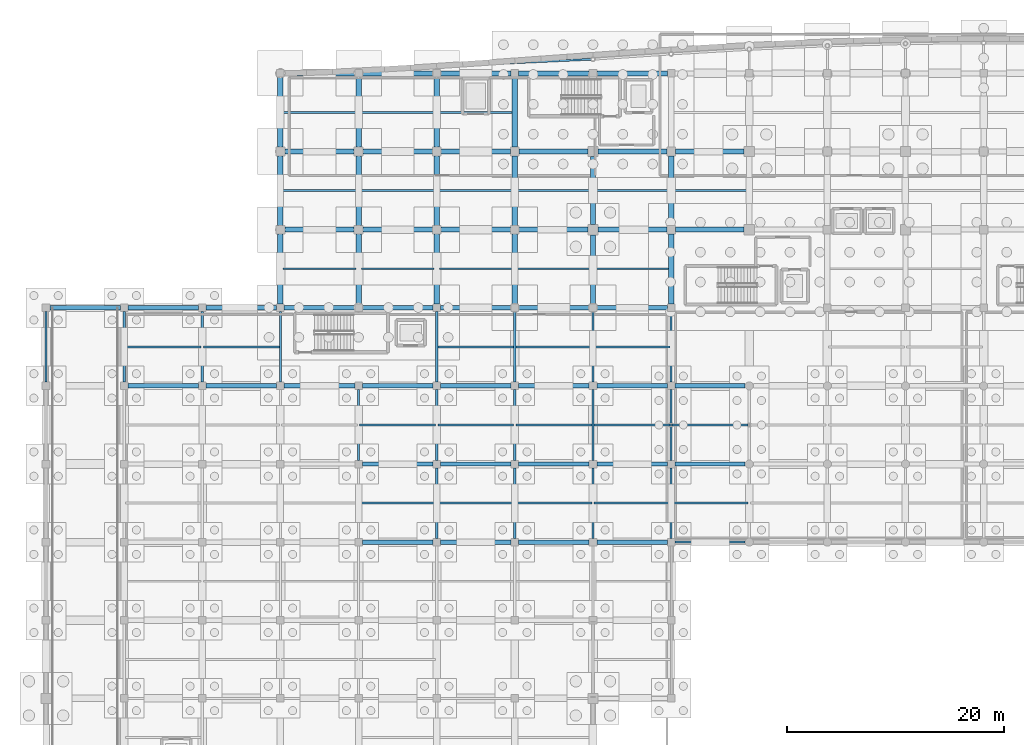
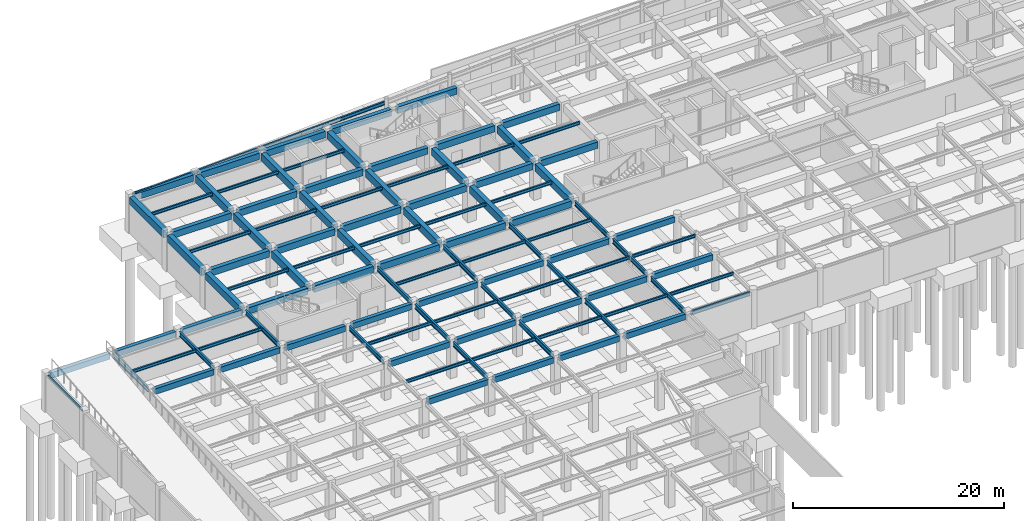
# One storey, part 26 of 48: 106 beams.
"""IFC4 building model written with IfcOpenShell, lengths in metres."""

import ifcopenshell
import ifcopenshell.guid

model = None  # the IFC model being written
_history = None  # IfcOwnerHistory: only IFC2X3 demands one
_inside = {}  # id of a spatial element -> (the spatial element, [elements in it])
_under = {}  # id of a project, library or spatial element -> (it, [spatial elements below it])
_declared = {}  # id of a project -> (the project, [libraries it declares])
_typed = {}  # id of a type object -> (the type object, [elements of that type])
_made_of = {}  # id of a material, layer set ... -> (it, [elements and type objects made of it])


def new_model(schema):
    """Start an empty IFC model of exactly this schema.

    Asked for "IFC4X3", IfcOpenShell would pick the latest addendum, in which some entities
    have other attributes; the version numbers below select the first issue.
    IFC2X3 requires an IfcOwnerHistory on every rooted entity: one is made here for all.
    """
    global model, _history
    if schema == "IFC4X3":
        model = ifcopenshell.file(schema_version=(4, 3, 0, 0))
    else:
        model = ifcopenshell.file(schema=schema)
    _inside.clear()
    _under.clear()
    _declared.clear()
    _typed.clear()
    _made_of.clear()
    _history = None
    if model.schema == "IFC2X3":
        org = make("IfcOrganization", Name="unknown")
        user = make(
            "IfcPersonAndOrganization",
            ThePerson=make("IfcPerson", FamilyName="unknown"),
            TheOrganization=org,
        )
        app = make(
            "IfcApplication",
            ApplicationDeveloper=org,
            Version="unknown",
            ApplicationFullName="unknown",
            ApplicationIdentifier="unknown",
        )
        _history = make(
            "IfcOwnerHistory",
            OwningUser=user,
            OwningApplication=app,
            ChangeAction="ADDED",
            CreationDate=0,
        )
    return model


def make(cls, **values):
    """One entity of the class cls with the attributes given. An attribute that is None is left unset."""
    return model.create_entity(
        cls, **{name: value for name, value in values.items() if value is not None}
    )


def rooted(cls, **values):
    """An entity with a GlobalId (a new one), such as an element, a storey or a relation."""
    return make(cls, GlobalId=ifcopenshell.guid.new(), OwnerHistory=_history, **values)


def si_unit(unit_type, name, prefix=None):
    """IfcSIUnit, for example si_unit("LENGTHUNIT", "METRE", prefix="MILLI")."""
    return make("IfcSIUnit", UnitType=unit_type, Prefix=prefix, Name=name)


def assignment(units):
    """IfcUnitAssignment: the units of a project."""
    return None if units is None else make("IfcUnitAssignment", Units=units)


def point(xyz):
    """IfcCartesianPoint."""
    return None if xyz is None else make("IfcCartesianPoint", Coordinates=xyz)


def direction(xyz):
    """IfcDirection."""
    return None if xyz is None else make("IfcDirection", DirectionRatios=xyz)


def frame(location, z_axis=None, x_axis=None):
    """IfcAxis2Placement3D, a coordinate frame: its origin and axes. An axis left out is left unset."""
    return make(
        "IfcAxis2Placement3D",
        Location=point(location),
        Axis=direction(z_axis),
        RefDirection=direction(x_axis),
    )


def frame_2d(location, x_axis=None):
    """IfcAxis2Placement2D, a coordinate frame in the plane: its origin and x axis."""
    return make(
        "IfcAxis2Placement2D", Location=point(location), RefDirection=direction(x_axis)
    )


def origin():
    """The frame at (0, 0, 0) with its axes left unset."""
    return frame((0.0, 0.0, 0.0))


def origin_2d():
    """The frame at (0, 0) in the plane with its x axis left unset."""
    return frame_2d((0.0, 0.0))


def place(relative_to, where):
    """IfcLocalPlacement: puts the frame where relative to a parent placement (None: the world)."""
    return make(
        "IfcLocalPlacement", PlacementRelTo=relative_to, RelativePlacement=where
    )


def context(
    kind, dimensions, precision=None, world=None, true_north=None, identifier=None
):
    """IfcGeometricRepresentationContext, for example the 3D "Model" context."""
    return make(
        "IfcGeometricRepresentationContext",
        ContextIdentifier=identifier,
        ContextType=kind,
        CoordinateSpaceDimension=dimensions,
        Precision=precision,
        WorldCoordinateSystem=world,
        TrueNorth=true_north,
    )


def subcontext(parent, identifier, kind, view, scale=None):
    """IfcGeometricRepresentationSubContext, for example "Body" below "Model"."""
    return make(
        "IfcGeometricRepresentationSubContext",
        ContextIdentifier=identifier,
        ContextType=kind,
        ParentContext=parent,
        TargetScale=scale,
        TargetView=view,
    )


def project(units=None, contexts=None):
    """IfcProject with its units and contexts."""
    return rooted(
        "IfcProject",
        Name="project",
        RepresentationContexts=contexts,
        UnitsInContext=assignment(units),
    )


def spatial(cls, under=None, at=None, **own):
    """A site, building, storey or space (cls), placed at a placement, below another one or the project."""
    s = rooted(cls, ObjectPlacement=at, **own)
    if under is not None:
        _under.setdefault(under.id(), (under, []))[1].append(s)
    return s


def profile(cls, at=None, kind="AREA", **sizes):
    """A parametric profile (cls). Its sizes go by their IFC names, for example OverallWidth=200.0."""
    return make(cls, ProfileType=kind, Position=at, **sizes)


def rectangle(**sizes):
    """IfcRectangleProfileDef."""
    return profile("IfcRectangleProfileDef", **sizes)


def hollow_rectangle(**sizes):
    """IfcRectangleHollowProfileDef."""
    return profile("IfcRectangleHollowProfileDef", **sizes)


def i_section(**sizes):
    """IfcIShapeProfileDef."""
    return profile("IfcIShapeProfileDef", **sizes)


def extrude(swept, where, along, depth):
    """IfcExtrudedAreaSolid: the profile swept, set in the frame where, extruded along a direction by depth."""
    return make(
        "IfcExtrudedAreaSolid",
        SweptArea=swept,
        Position=where,
        ExtrudedDirection=direction(along),
        Depth=depth,
    )


def shape(context_of_items, identifier, shape_type, items):
    """IfcShapeRepresentation: the items that make up one representation, for example the "Body"."""
    return make(
        "IfcShapeRepresentation",
        ContextOfItems=context_of_items,
        RepresentationIdentifier=identifier,
        RepresentationType=shape_type,
        Items=items,
    )


def material(Name=None, Category=None):
    """IfcMaterial."""
    return make("IfcMaterial", Name=Name, Category=Category)


def material_profile(
    of_material, cross_section, Name=None, Category=None, Priority=None
):
    """IfcMaterialProfile: a cross section and its material."""
    return make(
        "IfcMaterialProfile",
        Name=Name,
        Material=of_material,
        Profile=cross_section,
        Priority=Priority,
        Category=Category,
    )


def profile_set(profiles, Name=None, composite=None):
    """IfcMaterialProfileSet."""
    return make(
        "IfcMaterialProfileSet",
        Name=Name,
        MaterialProfiles=profiles,
        CompositeProfile=composite,
    )


def made_of(thing, what):
    """Note that an element or type object is made of a material, layer set ...; save() writes the relation."""
    if what is not None:
        _made_of.setdefault(what.id(), (what, []))[1].append(thing)
    return thing


def type_object(cls, material=None, **own):
    """A type object (cls), such as IfcWallType, which elements share."""
    return made_of(rooted(cls, **own), material)


def element(
    cls,
    number,
    at=None,
    inside=None,
    cuts=None,
    type_object=None,
    material=None,
    context=None,
    identifier="Body",
    shape_type=None,
    held_by="IfcProductDefinitionShape",
    body=None,
    shapes=None,
    **own,
):
    """One element of the class cls, such as IfcWall. Its Tag is "e" and its number.

    at: its placement. inside: the storey or other place that contains it. cuts: it is an
    opening in that element (IfcRelVoidsElement). A single representation is given by context,
    identifier, shape_type and body (its items); several are given by shapes. held_by: the class
    of the entity that holds the representations. save() writes the other relations.
    """
    e = rooted(cls, Tag="e%d" % number, ObjectPlacement=at, **own)
    if body is not None:
        shapes = [shape(context, identifier, shape_type, body)]
    if shapes is not None:
        e.Representation = make(held_by, Representations=shapes)
    if inside is not None:
        _inside.setdefault(inside.id(), (inside, []))[1].append(e)
    if cuts is not None:
        rooted(
            "IfcRelVoidsElement", RelatingBuildingElement=cuts, RelatedOpeningElement=e
        )
    if type_object is not None:
        _typed.setdefault(type_object.id(), (type_object, []))[1].append(e)
    return made_of(e, material)


def aggregate(whole, parts):
    """IfcRelAggregates: a whole, such as a stair, and the parts it consists of."""
    return rooted("IfcRelAggregates", RelatingObject=whole, RelatedObjects=parts)


def save(model, path):
    """Write the relations noted so far, then the file.

    IfcRelAggregates (storeys below a building ...), IfcRelContainedInSpatialStructure (elements
    in a storey), IfcRelDefinesByType, IfcRelAssociatesMaterial and IfcRelDeclares: one each for
    every whole, place, type object, material and project.
    """
    for whole, parts in _under.values():
        aggregate(whole, parts)
    for where, things in _inside.values():
        rooted(
            "IfcRelContainedInSpatialStructure",
            RelatedElements=things,
            RelatingStructure=where,
        )
    for kind, things in _typed.values():
        rooted("IfcRelDefinesByType", RelatedObjects=things, RelatingType=kind)
    for what, things in _made_of.values():
        rooted("IfcRelAssociatesMaterial", RelatedObjects=things, RelatingMaterial=what)
    for by, libraries in _declared.values():
        rooted("IfcRelDeclares", RelatingContext=by, RelatedDefinitions=libraries)
    model.write(path)


model = new_model("IFC4")

# Units and contexts
model_context = context("Model", 3, precision=1e-05, world=origin(), true_north=direction((0.0, 1.0)))
body_context = subcontext(model_context, "Body", "Model", "MODEL_VIEW")
ifc_project = project(units=[si_unit("LENGTHUNIT", "METRE"), si_unit("AREAUNIT", "SQUARE_METRE"), si_unit("VOLUMEUNIT", "CUBIC_METRE"), si_unit("PLANEANGLEUNIT", "RADIAN"), si_unit("MASSUNIT", "GRAM", prefix="KILO")], contexts=[model_context])

# Site, building, storey
site_placement = place(None, origin())
site = spatial("IfcSite", under=ifc_project, at=site_placement, CompositionType="ELEMENT")
building_placement = place(site_placement, origin())
building = spatial("IfcBuilding", under=site, at=building_placement, Name="Carrowvane Square Congress Hotel", CompositionType="ELEMENT")
storey_placement = place(building_placement, frame((0.0, 0.0, -4.5)))
storey = spatial("IfcBuildingStorey", under=building, at=storey_placement, Name="B01", CompositionType="ELEMENT", Elevation=-4.5)

# Beams
ifc_material_1 = material(Name="Concrete C35/45", Category="concrete")
ifc_material_profile_1 = material_profile(ifc_material_1, rectangle(XDim=0.39990234375, YDim=0.64990234375, at=origin_2d()), Name="RC 400x650")
ifc_profile_set_1 = profile_set([ifc_material_profile_1], Name="Concrete C35/45")
beam_type_1 = type_object("IfcBeamType", Name="BM-RC-400x650", PredefinedType="BEAM", material=ifc_profile_set_1)
for number, where, z_axis, x_axis, name in (
    (1, (40.75, 70.199951171875, 3.875), (1.0, 0.0, 0.0), (0.0, 1.0, 0.0), "L00 girder K/5-6"),
    (2, (47.949951171875, 70.199951171875, 3.875), (1.0, 0.0, 0.0), (0.0, 1.0, 0.0), "L00 girder K/6-7"),
    (3, (55.14990234375, 70.199951171875, 3.875), (1.0, 0.0, 0.0), (0.0, 1.0, 0.0), "L00 girder K/7-8"),
    (4, (62.35009765625, 70.199951171875, 3.875), (1.0, 0.0, 0.0), (0.0, 1.0, 0.0), "L00 girder K/8-9"),
    (5, (40.75, 77.39990234375, 3.875), (1.0, 0.0, 0.0), (0.0, 1.0, 0.0), "L00 girder L/5-6"),
    (6, (47.949951171875, 77.39990234375, 3.875), (1.0, 0.0, 0.0), (0.0, 1.0, 0.0), "L00 girder L/6-7"),
    (7, (55.14990234375, 77.39990234375, 3.875), (1.0, 0.0, 0.0), (0.0, 1.0, 0.0), "L00 girder L/7-8"),
    (8, (62.35009765625, 77.39990234375, 3.875), (1.0, 0.0, 0.0), (0.0, 1.0, 0.0), "L00 girder L/8-9"),
):
    element("IfcBeam", number, at=place(storey_placement, frame(where, z_axis=z_axis, x_axis=x_axis)), inside=storey, type_object=beam_type_1, Name=name, PredefinedType="BEAM", context=body_context, shape_type="SweptSolid", body=[
        extrude(rectangle(XDim=0.39990234375, YDim=0.64990234375, at=origin_2d()), origin(), (0.0, 0.0, 1.0), 6.5),
    ])
beam_1_placement = place(storey_placement, frame((69.550048828125, 77.39990234375, 3.875), z_axis=(1.0, 0.0, 0.0), x_axis=(0.0, 1.0, 0.0)))
element("IfcBeam", 9, at=beam_1_placement, inside=storey, type_object=beam_type_1, Name="L00 girder L/9-10", PredefinedType="BEAM", context=body_context, shape_type="SweptSolid", body=[
    extrude(rectangle(XDim=0.39990234375, YDim=0.64990234375, at=origin_2d()), origin(), (0.0, 0.0, 1.0), 6.474853515625),
])
for number, where, z_axis, x_axis, name in (
    (10, (19.14990234375, 84.60009765625, 3.875), (1.0, 0.0, 0.0), (0.0, 1.0, 0.0), "L00 girder M/2-3"),
    (11, (26.35009765625, 84.60009765625, 3.875), (1.0, 0.0, 0.0), (0.0, 1.0, 0.0), "L00 girder M/3-4"),
    (12, (33.550048828125, 84.60009765625, 3.875), (1.0, 0.0, 0.0), (0.0, 1.0, 0.0), "L00 girder M/4-5"),
    (13, (40.75, 84.60009765625, 3.875), (1.0, 0.0, 0.0), (0.0, 1.0, 0.0), "L00 girder M/5-6"),
    (14, (47.949951171875, 84.60009765625, 3.875), (1.0, 0.0, 0.0), (0.0, 1.0, 0.0), "L00 girder M/6-7"),
    (15, (55.14990234375, 84.60009765625, 3.875), (1.0, 0.0, 0.0), (0.0, 1.0, 0.0), "L00 girder M/7-8"),
    (16, (62.35009765625, 84.60009765625, 3.875), (1.0, 0.0, 0.0), (0.0, 1.0, 0.0), "L00 girder M/8-9"),
):
    element("IfcBeam", number, at=place(storey_placement, frame(where, z_axis=z_axis, x_axis=x_axis)), inside=storey, type_object=beam_type_1, Name=name, PredefinedType="BEAM", context=body_context, shape_type="SweptSolid", body=[
        extrude(rectangle(XDim=0.39990234375, YDim=0.64990234375, at=origin_2d()), origin(), (0.0, 0.0, 1.0), 6.5),
    ])
beam_2_placement = place(storey_placement, frame((69.550048828125, 84.60009765625, 3.875), z_axis=(1.0, 0.0, 0.0), x_axis=(0.0, 1.0, 0.0)))
element("IfcBeam", 17, at=beam_2_placement, inside=storey, type_object=beam_type_1, Name="L00 girder M/9-10", PredefinedType="BEAM", context=body_context, shape_type="SweptSolid", body=[
    extrude(rectangle(XDim=0.39990234375, YDim=0.64990234375, at=origin_2d()), origin(), (0.0, 0.0, 1.0), 6.474853515625),
])
for number, where, z_axis, x_axis, name in (
    (18, (11.949951171875, 91.800048828125, 3.875), (1.0, 0.0, 0.0), (0.0, 1.0, 0.0), "L00 girder N/1-2"),
    (19, (19.14990234375, 91.800048828125, 3.875), (1.0, 0.0, 0.0), (0.0, 1.0, 0.0), "L00 girder N/2-3"),
    (20, (26.35009765625, 91.800048828125, 3.875), (1.0, 0.0, 0.0), (0.0, 1.0, 0.0), "L00 girder N/3-4"),
):
    element("IfcBeam", number, at=place(storey_placement, frame(where, z_axis=z_axis, x_axis=x_axis)), inside=storey, type_object=beam_type_1, Name=name, PredefinedType="BEAM", context=body_context, shape_type="SweptSolid", body=[
        extrude(rectangle(XDim=0.39990234375, YDim=0.64990234375, at=origin_2d()), origin(), (0.0, 0.0, 1.0), 6.5),
    ])
ifc_material_2 = material(Name="Concrete C35/45", Category="concrete")
ifc_material_profile_2 = material_profile(ifc_material_2, rectangle(XDim=0.449951171875, YDim=0.75, at=origin_2d()), Name="RC 450x750")
ifc_profile_set_2 = profile_set([ifc_material_profile_2], Name="Concrete C35/45")
beam_type_2 = type_object("IfcBeamType", Name="BM-RC-450x750", PredefinedType="USERDEFINED", material=ifc_profile_set_2)
for number, where, z_axis, x_axis, name in (
    (21, (33.550048828125, 91.800048828125, 3.824951171875), (1.0, 0.0, 0.0), (0.0, 1.0, 0.0), "L00 girder N/4-5"),
    (22, (40.75, 91.800048828125, 3.824951171875), (1.0, 0.0, 0.0), (0.0, 1.0, 0.0), "L00 girder N/5-6"),
    (23, (47.949951171875, 91.800048828125, 3.824951171875), (1.0, 0.0, 0.0), (0.0, 1.0, 0.0), "L00 girder N/6-7"),
    (24, (55.14990234375, 91.800048828125, 3.824951171875), (1.0, 0.0, 0.0), (0.0, 1.0, 0.0), "L00 girder N/7-8"),
    (25, (62.35009765625, 91.800048828125, 3.824951171875), (1.0, 0.0, 0.0), (0.0, 1.0, 0.0), "L00 girder N/8-9"),
):
    element("IfcBeam", number, at=place(storey_placement, frame(where, z_axis=z_axis, x_axis=x_axis)), inside=storey, type_object=beam_type_2, Name=name, ObjectType="GIRDER", PredefinedType="USERDEFINED", context=body_context, shape_type="SweptSolid", body=[
        extrude(rectangle(XDim=0.449951171875, YDim=0.75, at=origin_2d()), origin(), (0.0, 0.0, 1.0), 6.5),
    ])
for number, where, z_axis, x_axis, name in (
    (26, (33.60009765625, 99.0, 3.824951171875), (1.0, 0.0, 0.0), (0.0, 1.0, 0.0), "L00 girder P/4-5"),
    (27, (40.800048828125, 99.0, 3.824951171875), (1.0, 0.0, 0.0), (0.0, 1.0, 0.0), "L00 girder P/5-6"),
    (28, (48.0, 99.0, 3.824951171875), (1.0, 0.0, 0.0), (0.0, 1.0, 0.0), "L00 girder P/6-7"),
):
    element("IfcBeam", number, at=place(storey_placement, frame(where, z_axis=z_axis, x_axis=x_axis)), inside=storey, type_object=beam_type_2, Name=name, ObjectType="GIRDER", PredefinedType="USERDEFINED", context=body_context, shape_type="SweptSolid", body=[
        extrude(rectangle(XDim=0.449951171875, YDim=0.75, at=origin_2d()), origin(), (0.0, 0.0, 1.0), 6.39990234375),
    ])
for number, where, z_axis, x_axis, name in (
    (29, (55.199951171875, 99.0, 3.824951171875), (1.0, 0.0, 0.0), (0.0, 1.0, 0.0), "L00 girder P/7-8"),
    (30, (62.47509765625, 99.0, 3.824951171875), (1.0, 0.0, 0.0), (0.0, 1.0, 0.0), "L00 girder P/8-9"),
    (31, (69.60009765625, 99.0, 3.824951171875), (1.0, 0.0, 0.0), (0.0, 1.0, 0.0), "L00 girder P/9-10"),
):
    element("IfcBeam", number, at=place(storey_placement, frame(where, z_axis=z_axis, x_axis=x_axis)), inside=storey, type_object=beam_type_2, Name=name, ObjectType="GIRDER", PredefinedType="USERDEFINED", context=body_context, shape_type="SweptSolid", body=[
        extrude(rectangle(XDim=0.449951171875, YDim=0.75, at=origin_2d()), origin(), (0.0, 0.0, 1.0), 6.324951171875),
    ])
for number, where, z_axis, x_axis, name in (
    (32, (33.60009765625, 106.199951171875, 3.824951171875), (1.0, 0.0, 0.0), (0.0, 1.0, 0.0), "L00 girder Q/4-5"),
    (33, (40.800048828125, 106.199951171875, 3.824951171875), (1.0, 0.0, 0.0), (0.0, 1.0, 0.0), "L00 girder Q/5-6"),
    (34, (48.0, 106.199951171875, 3.824951171875), (1.0, 0.0, 0.0), (0.0, 1.0, 0.0), "L00 girder Q/6-7"),
):
    element("IfcBeam", number, at=place(storey_placement, frame(where, z_axis=z_axis, x_axis=x_axis)), inside=storey, type_object=beam_type_2, Name=name, ObjectType="GIRDER", PredefinedType="USERDEFINED", context=body_context, shape_type="SweptSolid", body=[
        extrude(rectangle(XDim=0.449951171875, YDim=0.75, at=origin_2d()), origin(), (0.0, 0.0, 1.0), 6.39990234375),
    ])
for number, where, z_axis, x_axis, name in (
    (35, (55.199951171875, 106.199951171875, 3.824951171875), (1.0, 0.0, 0.0), (0.0, 1.0, 0.0), "L00 girder Q/7-8"),
    (36, (62.47509765625, 106.199951171875, 3.824951171875), (1.0, 0.0, 0.0), (0.0, 1.0, 0.0), "L00 girder Q/8-9"),
    (37, (69.60009765625, 106.199951171875, 3.824951171875), (1.0, 0.0, 0.0), (0.0, 1.0, 0.0), "L00 girder Q/9-10"),
):
    element("IfcBeam", number, at=place(storey_placement, frame(where, z_axis=z_axis, x_axis=x_axis)), inside=storey, type_object=beam_type_2, Name=name, ObjectType="GIRDER", PredefinedType="USERDEFINED", context=body_context, shape_type="SweptSolid", body=[
        extrude(rectangle(XDim=0.449951171875, YDim=0.75, at=origin_2d()), origin(), (0.0, 0.0, 1.0), 6.324951171875),
    ])
for number, where, z_axis, x_axis, name in (
    (38, (33.550048828125, 113.39990234375, 3.824951171875), (1.0, 0.0, 0.0), (0.0, 1.0, 0.0), "L00 girder R/4-5"),
    (39, (40.75, 113.39990234375, 3.824951171875), (1.0, 0.0, 0.0), (0.0, 1.0, 0.0), "L00 girder R/5-6"),
    (40, (47.949951171875, 113.39990234375, 3.824951171875), (1.0, 0.0, 0.0), (0.0, 1.0, 0.0), "L00 girder R/6-7"),
    (41, (55.14990234375, 113.39990234375, 3.824951171875), (1.0, 0.0, 0.0), (0.0, 1.0, 0.0), "L00 girder R/7-8"),
    (42, (62.35009765625, 113.39990234375, 3.824951171875), (1.0, 0.0, 0.0), (0.0, 1.0, 0.0), "L00 girder R/8-9"),
):
    element("IfcBeam", number, at=place(storey_placement, frame(where, z_axis=z_axis, x_axis=x_axis)), inside=storey, type_object=beam_type_2, Name=name, ObjectType="GIRDER", PredefinedType="USERDEFINED", context=body_context, shape_type="SweptSolid", body=[
        extrude(rectangle(XDim=0.449951171875, YDim=0.75, at=origin_2d()), origin(), (0.0, 0.0, 1.0), 6.5),
    ])
ifc_material_3 = material(Name="Concrete C35/45", Category="concrete")
ifc_material_profile_3 = material_profile(ifc_material_3, rectangle(XDim=0.5, YDim=0.85009765625, at=origin_2d()), Name="RC 500x850")
ifc_profile_set_3 = profile_set([ifc_material_profile_3], Name="Concrete C35/45")
beam_type_3 = type_object("IfcBeamType", Name="BM-RC-500x850", PredefinedType="USERDEFINED", material=ifc_profile_set_3)
beam_3_placement = place(storey_placement, frame((33.199951171875, 92.14990234375, 3.77490234375), z_axis=(0.0, 1.0, 0.0), x_axis=(-1.0, 0.0, 0.0)))
element("IfcBeam", 43, at=beam_3_placement, inside=storey, type_object=beam_type_3, Name="L00 girder 4/N-P", ObjectType="GIRDER", PredefinedType="USERDEFINED", context=body_context, shape_type="SweptSolid", body=[
    extrude(rectangle(XDim=0.5, YDim=0.85009765625, at=origin_2d()), origin(), (0.0, 0.0, 1.0), 6.4501953125),
])
beam_4_placement = place(storey_placement, frame((33.199951171875, 99.39990234375, 3.77490234375), z_axis=(0.0, 1.0, 0.0), x_axis=(-1.0, 0.0, 0.0)))
element("IfcBeam", 44, at=beam_4_placement, inside=storey, type_object=beam_type_3, Name="L00 girder 4/P-Q", ObjectType="GIRDER", PredefinedType="USERDEFINED", context=body_context, shape_type="SweptSolid", body=[
    extrude(rectangle(XDim=0.5, YDim=0.85009765625, at=origin_2d()), origin(), (0.0, 0.0, 1.0), 6.400146484375),
])
beam_5_placement = place(storey_placement, frame((33.199951171875, 106.60009765625, 3.77490234375), z_axis=(0.0, 1.0, 0.0), x_axis=(-1.0, 0.0, 0.0)))
element("IfcBeam", 45, at=beam_5_placement, inside=storey, type_object=beam_type_3, Name="L00 girder 4/Q-R", ObjectType="GIRDER", PredefinedType="USERDEFINED", context=body_context, shape_type="SweptSolid", body=[
    extrude(rectangle(XDim=0.5, YDim=0.85009765625, at=origin_2d()), origin(), (0.0, 0.0, 1.0), 6.449951171875),
])
beam_6_placement = place(storey_placement, frame((40.39990234375, 92.14990234375, 3.77490234375), z_axis=(0.0, 1.0, 0.0), x_axis=(-1.0, 0.0, 0.0)))
element("IfcBeam", 46, at=beam_6_placement, inside=storey, type_object=beam_type_3, Name="L00 girder 5/N-P", ObjectType="GIRDER", PredefinedType="USERDEFINED", context=body_context, shape_type="SweptSolid", body=[
    extrude(rectangle(XDim=0.5, YDim=0.85009765625, at=origin_2d()), origin(), (0.0, 0.0, 1.0), 6.4501953125),
])
beam_7_placement = place(storey_placement, frame((40.39990234375, 99.39990234375, 3.77490234375), z_axis=(0.0, 1.0, 0.0), x_axis=(-1.0, 0.0, 0.0)))
element("IfcBeam", 47, at=beam_7_placement, inside=storey, type_object=beam_type_3, Name="L00 girder 5/P-Q", ObjectType="GIRDER", PredefinedType="USERDEFINED", context=body_context, shape_type="SweptSolid", body=[
    extrude(rectangle(XDim=0.5, YDim=0.85009765625, at=origin_2d()), origin(), (0.0, 0.0, 1.0), 6.400146484375),
])
beam_8_placement = place(storey_placement, frame((40.39990234375, 106.60009765625, 3.77490234375), z_axis=(0.0, 1.0, 0.0), x_axis=(-1.0, 0.0, 0.0)))
element("IfcBeam", 48, at=beam_8_placement, inside=storey, type_object=beam_type_3, Name="L00 girder 5/Q-R", ObjectType="GIRDER", PredefinedType="USERDEFINED", context=body_context, shape_type="SweptSolid", body=[
    extrude(rectangle(XDim=0.5, YDim=0.85009765625, at=origin_2d()), origin(), (0.0, 0.0, 1.0), 6.449951171875),
])
beam_9_placement = place(storey_placement, frame((47.60009765625, 92.14990234375, 3.77490234375), z_axis=(0.0, 1.0, 0.0), x_axis=(-1.0, 0.0, 0.0)))
element("IfcBeam", 49, at=beam_9_placement, inside=storey, type_object=beam_type_3, Name="L00 girder 6/N-P", ObjectType="GIRDER", PredefinedType="USERDEFINED", context=body_context, shape_type="SweptSolid", body=[
    extrude(rectangle(XDim=0.5, YDim=0.85009765625, at=origin_2d()), origin(), (0.0, 0.0, 1.0), 6.4501953125),
])
beam_10_placement = place(storey_placement, frame((47.60009765625, 99.39990234375, 3.77490234375), z_axis=(0.0, 1.0, 0.0), x_axis=(-1.0, 0.0, 0.0)))
element("IfcBeam", 50, at=beam_10_placement, inside=storey, type_object=beam_type_3, Name="L00 girder 6/P-Q", ObjectType="GIRDER", PredefinedType="USERDEFINED", context=body_context, shape_type="SweptSolid", body=[
    extrude(rectangle(XDim=0.5, YDim=0.85009765625, at=origin_2d()), origin(), (0.0, 0.0, 1.0), 6.400146484375),
])
beam_11_placement = place(storey_placement, frame((47.60009765625, 106.60009765625, 3.77490234375), z_axis=(0.0, 1.0, 0.0), x_axis=(-1.0, 0.0, 0.0)))
element("IfcBeam", 51, at=beam_11_placement, inside=storey, type_object=beam_type_3, Name="L00 girder 6/Q-R", ObjectType="GIRDER", PredefinedType="USERDEFINED", context=body_context, shape_type="SweptSolid", body=[
    extrude(rectangle(XDim=0.5, YDim=0.85009765625, at=origin_2d()), origin(), (0.0, 0.0, 1.0), 6.449951171875),
])
beam_12_placement = place(storey_placement, frame((54.800048828125, 92.14990234375, 3.77490234375), z_axis=(0.0, 1.0, 0.0), x_axis=(-1.0, 0.0, 0.0)))
element("IfcBeam", 52, at=beam_12_placement, inside=storey, type_object=beam_type_3, Name="L00 girder 7/N-P", ObjectType="GIRDER", PredefinedType="USERDEFINED", context=body_context, shape_type="SweptSolid", body=[
    extrude(rectangle(XDim=0.5, YDim=0.85009765625, at=origin_2d()), origin(), (0.0, 0.0, 1.0), 6.4501953125),
])
beam_13_placement = place(storey_placement, frame((54.800048828125, 99.39990234375, 3.77490234375), z_axis=(0.0, 1.0, 0.0), x_axis=(-1.0, 0.0, 0.0)))
element("IfcBeam", 53, at=beam_13_placement, inside=storey, type_object=beam_type_3, Name="L00 girder 7/P-Q", ObjectType="GIRDER", PredefinedType="USERDEFINED", context=body_context, shape_type="SweptSolid", body=[
    extrude(rectangle(XDim=0.5, YDim=0.85009765625, at=origin_2d()), origin(), (0.0, 0.0, 1.0), 6.400146484375),
])
beam_14_placement = place(storey_placement, frame((54.800048828125, 106.60009765625, 3.77490234375), z_axis=(0.0, 1.0, 0.0), x_axis=(-1.0, 0.0, 0.0)))
element("IfcBeam", 54, at=beam_14_placement, inside=storey, type_object=beam_type_3, Name="L00 girder 7/Q-R", ObjectType="GIRDER", PredefinedType="USERDEFINED", context=body_context, shape_type="SweptSolid", body=[
    extrude(rectangle(XDim=0.5, YDim=0.85009765625, at=origin_2d()), origin(), (0.0, 0.0, 1.0), 6.449951171875),
])
beam_15_placement = place(storey_placement, frame((62.0, 92.14990234375, 3.77490234375), z_axis=(0.0, 1.0, 0.0), x_axis=(-1.0, 0.0, 0.0)))
element("IfcBeam", 55, at=beam_15_placement, inside=storey, type_object=beam_type_3, Name="L00 girder 8/N-P", ObjectType="GIRDER", PredefinedType="USERDEFINED", context=body_context, shape_type="SweptSolid", body=[
    extrude(rectangle(XDim=0.5, YDim=0.85009765625, at=origin_2d()), origin(), (0.0, 0.0, 1.0), 6.375),
])
beam_16_placement = place(storey_placement, frame((62.0, 99.47509765625, 3.77490234375), z_axis=(0.0, 1.0, 0.0), x_axis=(-1.0, 0.0, 0.0)))
element("IfcBeam", 56, at=beam_16_placement, inside=storey, type_object=beam_type_3, Name="L00 girder 8/P-Q", ObjectType="GIRDER", PredefinedType="USERDEFINED", context=body_context, shape_type="SweptSolid", body=[
    extrude(rectangle(XDim=0.5, YDim=0.85009765625, at=origin_2d()), origin(), (0.0, 0.0, 1.0), 6.25),
])
beam_17_placement = place(storey_placement, frame((69.199951171875, 92.14990234375, 3.77490234375), z_axis=(0.0, 1.0, 0.0), x_axis=(-1.0, 0.0, 0.0)))
element("IfcBeam", 57, at=beam_17_placement, inside=storey, type_object=beam_type_3, Name="L00 girder 9/N-P", ObjectType="GIRDER", PredefinedType="USERDEFINED", context=body_context, shape_type="SweptSolid", body=[
    extrude(rectangle(XDim=0.5, YDim=0.85009765625, at=origin_2d()), origin(), (0.0, 0.0, 1.0), 6.4501953125),
])
beam_18_placement = place(storey_placement, frame((69.199951171875, 99.39990234375, 3.77490234375), z_axis=(0.0, 1.0, 0.0), x_axis=(-1.0, 0.0, 0.0)))
element("IfcBeam", 58, at=beam_18_placement, inside=storey, type_object=beam_type_3, Name="L00 girder 9/P-Q", ObjectType="GIRDER", PredefinedType="USERDEFINED", context=body_context, shape_type="SweptSolid", body=[
    extrude(rectangle(XDim=0.5, YDim=0.85009765625, at=origin_2d()), origin(), (0.0, 0.0, 1.0), 6.400146484375),
])
ifc_material_4 = material(Name="Steel S355", Category="steel")
ifc_material_profile_4 = material_profile(ifc_material_4, hollow_rectangle(XDim=0.14990234375, YDim=0.25, WallThickness=0.012451171875, at=origin_2d()), Name="RHS 250x150x12.5")
ifc_profile_set_4 = profile_set([ifc_material_profile_4], Name="Steel S355")
beam_type_4 = type_object("IfcBeamType", Name="BM-ST-RHS250", PredefinedType="SPANDREL", material=ifc_profile_set_4)
beam_19_placement = place(storey_placement, frame((11.60009765625, 84.949951171875, 4.074951171875), z_axis=(0.0, 1.0, 0.0), x_axis=(-1.0, 0.0, 0.0)))
element("IfcBeam", 59, at=beam_19_placement, inside=storey, type_object=beam_type_4, Name="L00 girder 1/M-N", PredefinedType="SPANDREL", context=body_context, shape_type="SweptSolid", body=[
    extrude(hollow_rectangle(XDim=0.14990234375, YDim=0.25, WallThickness=0.012451171875, at=origin_2d()), origin(), (0.0, 0.0, 1.0), 6.5),
])
ifc_material_5 = material(Name="Steel S355", Category="steel")
ifc_material_profile_5 = material_profile(ifc_material_5, i_section(OverallWidth=0.172119140625, OverallDepth=0.35791015625, WebThickness=0.008056640625, FlangeThickness=0.012939453125, FilletRadius=0.01025390625, at=origin_2d()), Name="UKB 356x171x57")
ifc_profile_set_5 = profile_set([ifc_material_profile_5], Name="Steel S355")
beam_type_5 = type_object("IfcBeamType", Name="BM-ST-UKB356", PredefinedType="JOIST", material=ifc_profile_set_5)
for number, where, z_axis, x_axis, name in (
    (60, (18.905029296875, 88.199951171875, 4.02099609375), (1.0, 0.0, 0.0), (0.0, 1.0, 0.0), "L00 secondary joist 2-3"),
    (61, (26.10498046875, 88.199951171875, 4.02099609375), (1.0, 0.0, 0.0), (0.0, 1.0, 0.0), "L00 secondary joist 3-4"),
):
    element("IfcBeam", number, at=place(storey_placement, frame(where, z_axis=z_axis, x_axis=x_axis)), inside=storey, type_object=beam_type_5, Name=name, PredefinedType="JOIST", context=body_context, shape_type="SweptSolid", body=[
        extrude(i_section(OverallWidth=0.172119140625, OverallDepth=0.35791015625, WebThickness=0.008056640625, FlangeThickness=0.012939453125, FilletRadius=0.01025390625, at=origin_2d()), origin(), (0.0, 0.0, 1.0), 6.989990234375),
    ])
for number, where, z_axis, x_axis, name in (
    (62, (33.449951171875, 95.39990234375, 4.02099609375), (1.0, 0.0, 0.0), (0.0, 1.0, 0.0), "L00 secondary joist 4-5"),
    (63, (33.449951171875, 102.60009765625, 4.02099609375), (1.0, 0.0, 0.0), (0.0, 1.0, 0.0), "L00 secondary joist 4-5"),
    (64, (33.449951171875, 109.800048828125, 4.02099609375), (1.0, 0.0, 0.0), (0.0, 1.0, 0.0), "L00 secondary joist 4-5"),
):
    element("IfcBeam", number, at=place(storey_placement, frame(where, z_axis=z_axis, x_axis=x_axis)), inside=storey, type_object=beam_type_5, Name=name, PredefinedType="JOIST", context=body_context, shape_type="SweptSolid", body=[
        extrude(i_section(OverallWidth=0.172119140625, OverallDepth=0.35791015625, WebThickness=0.008056640625, FlangeThickness=0.012939453125, FilletRadius=0.01025390625, at=origin_2d()), origin(), (0.0, 0.0, 1.0), 6.699951171875),
    ])
for number, where, z_axis, x_axis, name in (
    (65, (40.5048828125, 73.800048828125, 4.02099609375), (1.0, 0.0, 0.0), (0.0, 1.0, 0.0), "L00 secondary joist 5-6"),
    (66, (40.5048828125, 81.0, 4.02099609375), (1.0, 0.0, 0.0), (0.0, 1.0, 0.0), "L00 secondary joist 5-6"),
):
    element("IfcBeam", number, at=place(storey_placement, frame(where, z_axis=z_axis, x_axis=x_axis)), inside=storey, type_object=beam_type_5, Name=name, PredefinedType="JOIST", context=body_context, shape_type="SweptSolid", body=[
        extrude(i_section(OverallWidth=0.172119140625, OverallDepth=0.35791015625, WebThickness=0.008056640625, FlangeThickness=0.012939453125, FilletRadius=0.01025390625, at=origin_2d()), origin(), (0.0, 0.0, 1.0), 6.990234375),
    ])
for number, where, z_axis, x_axis, name in (
    (67, (40.64990234375, 95.39990234375, 4.02099609375), (1.0, 0.0, 0.0), (0.0, 1.0, 0.0), "L00 secondary joist 5-6"),
    (68, (40.64990234375, 102.60009765625, 4.02099609375), (1.0, 0.0, 0.0), (0.0, 1.0, 0.0), "L00 secondary joist 5-6"),
    (69, (40.64990234375, 109.800048828125, 4.02099609375), (1.0, 0.0, 0.0), (0.0, 1.0, 0.0), "L00 secondary joist 5-6"),
):
    element("IfcBeam", number, at=place(storey_placement, frame(where, z_axis=z_axis, x_axis=x_axis)), inside=storey, type_object=beam_type_5, Name=name, PredefinedType="JOIST", context=body_context, shape_type="SweptSolid", body=[
        extrude(i_section(OverallWidth=0.172119140625, OverallDepth=0.35791015625, WebThickness=0.008056640625, FlangeThickness=0.012939453125, FilletRadius=0.01025390625, at=origin_2d()), origin(), (0.0, 0.0, 1.0), 6.7001953125),
    ])
for number, where, z_axis, x_axis, name in (
    (70, (47.705078125, 73.800048828125, 4.02099609375), (1.0, 0.0, 0.0), (0.0, 1.0, 0.0), "L00 secondary joist 6-7"),
    (71, (47.705078125, 81.0, 4.02099609375), (1.0, 0.0, 0.0), (0.0, 1.0, 0.0), "L00 secondary joist 6-7"),
    (72, (47.705078125, 88.199951171875, 4.02099609375), (1.0, 0.0, 0.0), (0.0, 1.0, 0.0), "L00 secondary joist 6-7"),
):
    element("IfcBeam", number, at=place(storey_placement, frame(where, z_axis=z_axis, x_axis=x_axis)), inside=storey, type_object=beam_type_5, Name=name, PredefinedType="JOIST", context=body_context, shape_type="SweptSolid", body=[
        extrude(i_section(OverallWidth=0.172119140625, OverallDepth=0.35791015625, WebThickness=0.008056640625, FlangeThickness=0.012939453125, FilletRadius=0.01025390625, at=origin_2d()), origin(), (0.0, 0.0, 1.0), 6.989990234375),
    ])
for number, where, z_axis, x_axis, name in (
    (73, (47.85009765625, 95.39990234375, 4.02099609375), (1.0, 0.0, 0.0), (0.0, 1.0, 0.0), "L00 secondary joist 6-7"),
    (74, (47.85009765625, 102.60009765625, 4.02099609375), (1.0, 0.0, 0.0), (0.0, 1.0, 0.0), "L00 secondary joist 6-7"),
    (75, (47.85009765625, 109.800048828125, 4.02099609375), (1.0, 0.0, 0.0), (0.0, 1.0, 0.0), "L00 secondary joist 6-7"),
):
    element("IfcBeam", number, at=place(storey_placement, frame(where, z_axis=z_axis, x_axis=x_axis)), inside=storey, type_object=beam_type_5, Name=name, PredefinedType="JOIST", context=body_context, shape_type="SweptSolid", body=[
        extrude(i_section(OverallWidth=0.172119140625, OverallDepth=0.35791015625, WebThickness=0.008056640625, FlangeThickness=0.012939453125, FilletRadius=0.01025390625, at=origin_2d()), origin(), (0.0, 0.0, 1.0), 6.699951171875),
    ])
for number, where, z_axis, x_axis, name in (
    (76, (54.905029296875, 73.800048828125, 4.02099609375), (1.0, 0.0, 0.0), (0.0, 1.0, 0.0), "L00 secondary joist 7-8"),
    (77, (54.905029296875, 81.0, 4.02099609375), (1.0, 0.0, 0.0), (0.0, 1.0, 0.0), "L00 secondary joist 7-8"),
    (78, (54.905029296875, 88.199951171875, 4.02099609375), (1.0, 0.0, 0.0), (0.0, 1.0, 0.0), "L00 secondary joist 7-8"),
):
    element("IfcBeam", number, at=place(storey_placement, frame(where, z_axis=z_axis, x_axis=x_axis)), inside=storey, type_object=beam_type_5, Name=name, PredefinedType="JOIST", context=body_context, shape_type="SweptSolid", body=[
        extrude(i_section(OverallWidth=0.172119140625, OverallDepth=0.35791015625, WebThickness=0.008056640625, FlangeThickness=0.012939453125, FilletRadius=0.01025390625, at=origin_2d()), origin(), (0.0, 0.0, 1.0), 6.989990234375),
    ])
for number, where, z_axis, x_axis, name in (
    (79, (55.050048828125, 95.39990234375, 4.02099609375), (1.0, 0.0, 0.0), (0.0, 1.0, 0.0), "L00 secondary joist 7-8"),
    (80, (55.050048828125, 102.60009765625, 4.02099609375), (1.0, 0.0, 0.0), (0.0, 1.0, 0.0), "L00 secondary joist 7-8"),
):
    element("IfcBeam", number, at=place(storey_placement, frame(where, z_axis=z_axis, x_axis=x_axis)), inside=storey, type_object=beam_type_5, Name=name, PredefinedType="JOIST", context=body_context, shape_type="SweptSolid", body=[
        extrude(i_section(OverallWidth=0.172119140625, OverallDepth=0.35791015625, WebThickness=0.008056640625, FlangeThickness=0.012939453125, FilletRadius=0.01025390625, at=origin_2d()), origin(), (0.0, 0.0, 1.0), 6.699951171875),
    ])
for number, where, z_axis, x_axis, name in (
    (81, (62.10498046875, 73.800048828125, 4.02099609375), (1.0, 0.0, 0.0), (0.0, 1.0, 0.0), "L00 secondary joist 8-9"),
    (82, (62.10498046875, 81.0, 4.02099609375), (1.0, 0.0, 0.0), (0.0, 1.0, 0.0), "L00 secondary joist 8-9"),
    (83, (62.10498046875, 88.199951171875, 4.02099609375), (1.0, 0.0, 0.0), (0.0, 1.0, 0.0), "L00 secondary joist 8-9"),
):
    element("IfcBeam", number, at=place(storey_placement, frame(where, z_axis=z_axis, x_axis=x_axis)), inside=storey, type_object=beam_type_5, Name=name, PredefinedType="JOIST", context=body_context, shape_type="SweptSolid", body=[
        extrude(i_section(OverallWidth=0.172119140625, OverallDepth=0.35791015625, WebThickness=0.008056640625, FlangeThickness=0.012939453125, FilletRadius=0.01025390625, at=origin_2d()), origin(), (0.0, 0.0, 1.0), 6.989990234375),
    ])
for number, where, z_axis, x_axis, name in (
    (84, (62.25, 95.39990234375, 4.02099609375), (1.0, 0.0, 0.0), (0.0, 1.0, 0.0), "L00 secondary joist 8-9"),
    (85, (62.25, 102.60009765625, 4.02099609375), (1.0, 0.0, 0.0), (0.0, 1.0, 0.0), "L00 secondary joist 8-9"),
):
    element("IfcBeam", number, at=place(storey_placement, frame(where, z_axis=z_axis, x_axis=x_axis)), inside=storey, type_object=beam_type_5, Name=name, PredefinedType="JOIST", context=body_context, shape_type="SweptSolid", body=[
        extrude(i_section(OverallWidth=0.172119140625, OverallDepth=0.35791015625, WebThickness=0.008056640625, FlangeThickness=0.012939453125, FilletRadius=0.01025390625, at=origin_2d()), origin(), (0.0, 0.0, 1.0), 6.699951171875),
    ])
for number, where, z_axis, x_axis, name in (
    (86, (69.304931640625, 73.800048828125, 4.02099609375), (1.0, 0.0, 0.0), (0.0, 1.0, 0.0), "L00 secondary joist 9-10"),
    (87, (69.304931640625, 81.0, 4.02099609375), (1.0, 0.0, 0.0), (0.0, 1.0, 0.0), "L00 secondary joist 9-10"),
):
    element("IfcBeam", number, at=place(storey_placement, frame(where, z_axis=z_axis, x_axis=x_axis)), inside=storey, type_object=beam_type_5, Name=name, PredefinedType="JOIST", context=body_context, shape_type="SweptSolid", body=[
        extrude(i_section(OverallWidth=0.172119140625, OverallDepth=0.35791015625, WebThickness=0.008056640625, FlangeThickness=0.012939453125, FilletRadius=0.01025390625, at=origin_2d()), origin(), (0.0, 0.0, 1.0), 6.989990234375),
    ])
beam_20_placement = place(storey_placement, frame((69.449951171875, 102.60009765625, 4.02099609375), z_axis=(1.0, 0.0, 0.0), x_axis=(0.0, 1.0, 0.0)))
element("IfcBeam", 88, at=beam_20_placement, inside=storey, type_object=beam_type_5, Name="L00 secondary joist 9-10", PredefinedType="JOIST", context=body_context, shape_type="SweptSolid", body=[
    extrude(i_section(OverallWidth=0.172119140625, OverallDepth=0.35791015625, WebThickness=0.008056640625, FlangeThickness=0.012939453125, FilletRadius=0.01025390625, at=origin_2d()), origin(), (0.0, 0.0, 1.0), 6.699951171875),
])
ifc_material_6 = material(Name="Steel S355", Category="steel")
ifc_material_profile_6 = material_profile(ifc_material_6, i_section(OverallWidth=0.1787109375, OverallDepth=0.409423828125, WebThickness=0.0087890625, FlangeThickness=0.014404296875, FilletRadius=0.01025390625, at=origin_2d()), Name="UKB 406x178x67")
ifc_profile_set_6 = profile_set([ifc_material_profile_6], Name="Steel S355")
beam_type_6 = type_object("IfcBeamType", Name="BM-ST-UKB406", PredefinedType="BEAM", material=ifc_profile_set_6)
beam_21_placement = place(storey_placement, frame((33.549560546875, 113.415771484375, 3.995361328125), z_axis=(0.998973305659, 0.045302699476, 0.0), x_axis=(-0.045302699476, 0.998973305659, 0.0)))
element("IfcBeam", 89, at=beam_21_placement, inside=storey, type_object=beam_type_6, Name="L00 curved north spandrel", PredefinedType="BEAM", context=body_context, shape_type="SweptSolid", body=[
    extrude(i_section(OverallWidth=0.1787109375, OverallDepth=0.409423828125, WebThickness=0.0087890625, FlangeThickness=0.014404296875, FilletRadius=0.01025390625, at=origin_2d()), origin(), (0.0, 0.0, 1.0), 28.276611328125),
])
ifc_material_7 = material(Name="Steel S355", Category="steel")
ifc_material_profile_7 = material_profile(ifc_material_7, i_section(OverallWidth=0.19140625, OverallDepth=0.4599609375, WebThickness=0.010009765625, FlangeThickness=0.01611328125, FilletRadius=0.01025390625, at=origin_2d()), Name="UKB 457x191x82")
ifc_profile_set_7 = profile_set([ifc_material_profile_7], Name="Steel S355")
beam_type_7 = type_object("IfcBeamType", Name="BM-ST-UKB457", PredefinedType="SPANDREL", material=ifc_profile_set_7)
beam_22_placement = place(storey_placement, frame((69.550048828125, 70.199951171875, 3.969970703125), z_axis=(1.0, 0.0, 0.0), x_axis=(0.0, 1.0, 0.0)))
element("IfcBeam", 90, at=beam_22_placement, inside=storey, type_object=beam_type_7, Name="L00 girder K/9-10", PredefinedType="SPANDREL", context=body_context, shape_type="SweptSolid", body=[
    extrude(i_section(OverallWidth=0.19140625, OverallDepth=0.4599609375, WebThickness=0.010009765625, FlangeThickness=0.01611328125, FilletRadius=0.01025390625, at=origin_2d()), origin(), (0.0, 0.0, 1.0), 6.474853515625),
])
ifc_material_8 = material(Name="Steel S355", Category="steel")
ifc_material_profile_8 = material_profile(ifc_material_8, i_section(OverallWidth=0.2099609375, OverallDepth=0.53662109375, WebThickness=0.0107421875, FlangeThickness=0.017333984375, FilletRadius=0.0126953125, at=origin_2d()), Name="UKB 533x210x101")
ifc_profile_set_8 = profile_set([ifc_material_profile_8], Name="Steel S355")
beam_type_8 = type_object("IfcBeamType", Name="BM-ST-UKB533", PredefinedType="USERDEFINED", material=ifc_profile_set_8)
for number, where, z_axis, x_axis, name in (
    (91, (18.800048828125, 84.949951171875, 3.931640625), (0.0, 1.0, 0.0), (-1.0, 0.0, 0.0), "L00 girder 2/M-N"),
    (92, (26.0, 84.949951171875, 3.931640625), (0.0, 1.0, 0.0), (-1.0, 0.0, 0.0), "L00 girder 3/M-N"),
    (93, (33.199951171875, 84.949951171875, 3.931640625), (0.0, 1.0, 0.0), (-1.0, 0.0, 0.0), "L00 girder 4/M-N"),
    (94, (40.39990234375, 77.75, 3.931640625), (0.0, 1.0, 0.0), (-1.0, 0.0, 0.0), "L00 girder 5/L-M"),
    (95, (47.60009765625, 70.550048828125, 3.931640625), (0.0, 1.0, 0.0), (-1.0, 0.0, 0.0), "L00 girder 6/K-L"),
    (96, (47.60009765625, 77.75, 3.931640625), (0.0, 1.0, 0.0), (-1.0, 0.0, 0.0), "L00 girder 6/L-M"),
    (97, (47.60009765625, 84.949951171875, 3.931640625), (0.0, 1.0, 0.0), (-1.0, 0.0, 0.0), "L00 girder 6/M-N"),
    (98, (54.800048828125, 70.550048828125, 3.931640625), (0.0, 1.0, 0.0), (-1.0, 0.0, 0.0), "L00 girder 7/K-L"),
    (99, (54.800048828125, 77.75, 3.931640625), (0.0, 1.0, 0.0), (-1.0, 0.0, 0.0), "L00 girder 7/L-M"),
    (100, (54.800048828125, 84.949951171875, 3.931640625), (0.0, 1.0, 0.0), (-1.0, 0.0, 0.0), "L00 girder 7/M-N"),
    (101, (62.0, 70.550048828125, 3.931640625), (0.0, 1.0, 0.0), (-1.0, 0.0, 0.0), "L00 girder 8/K-L"),
    (102, (62.0, 77.75, 3.931640625), (0.0, 1.0, 0.0), (-1.0, 0.0, 0.0), "L00 girder 8/L-M"),
    (103, (62.0, 84.949951171875, 3.931640625), (0.0, 1.0, 0.0), (-1.0, 0.0, 0.0), "L00 girder 8/M-N"),
    (104, (69.199951171875, 70.550048828125, 3.931640625), (0.0, 1.0, 0.0), (-1.0, 0.0, 0.0), "L00 girder 9/K-L"),
    (105, (69.199951171875, 77.75, 3.931640625), (0.0, 1.0, 0.0), (-1.0, 0.0, 0.0), "L00 girder 9/L-M"),
    (106, (69.199951171875, 84.949951171875, 3.931640625), (0.0, 1.0, 0.0), (-1.0, 0.0, 0.0), "L00 girder 9/M-N"),
):
    element("IfcBeam", number, at=place(storey_placement, frame(where, z_axis=z_axis, x_axis=x_axis)), inside=storey, type_object=beam_type_8, Name=name, ObjectType="GIRDER", PredefinedType="USERDEFINED", context=body_context, shape_type="SweptSolid", body=[
        extrude(i_section(OverallWidth=0.2099609375, OverallDepth=0.53662109375, WebThickness=0.0107421875, FlangeThickness=0.017333984375, FilletRadius=0.0126953125, at=origin_2d()), origin(), (0.0, 0.0, 1.0), 6.5),
    ])

save(model, "model.ifc")
